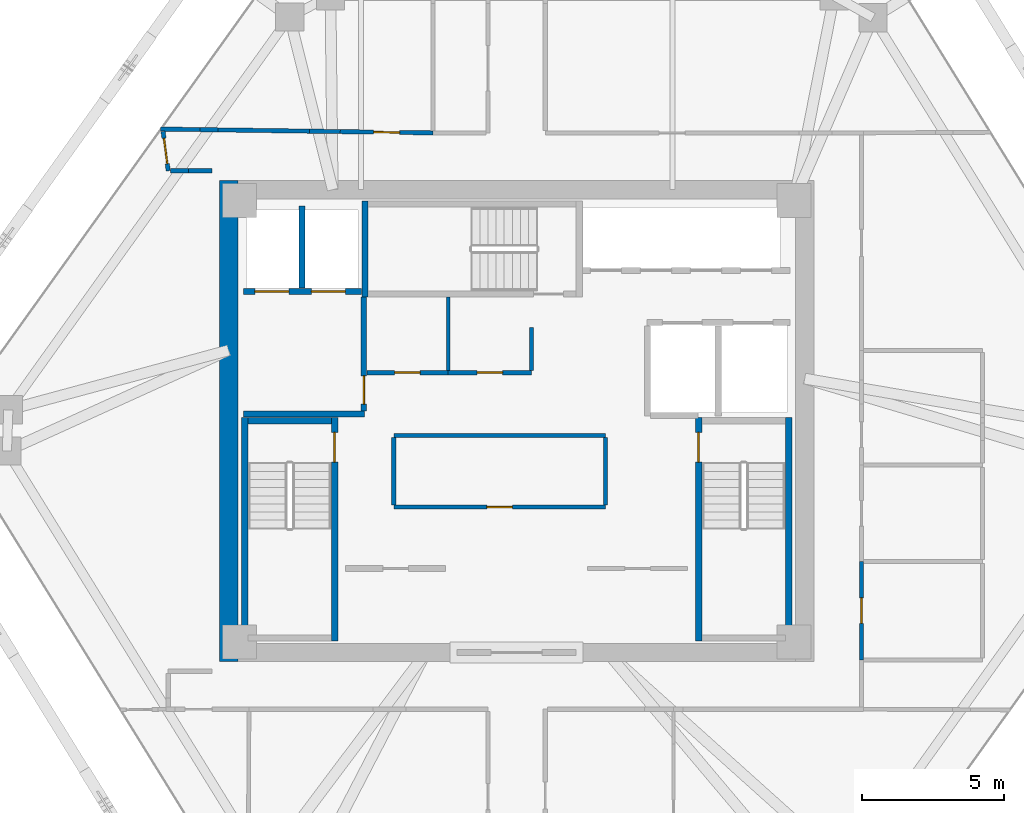
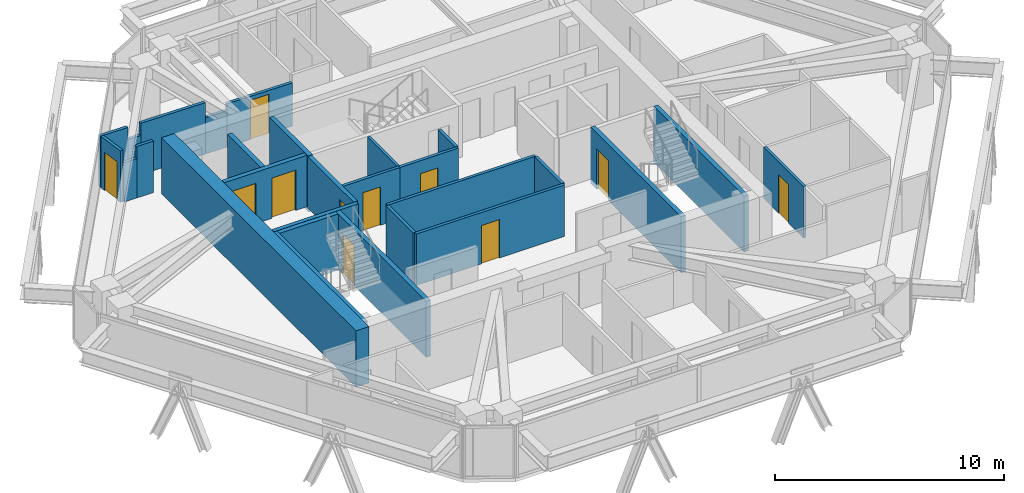
# One storey, part 11 of 14: 28 walls, 11 doors, 11 openings.
"""IFC4 building model written with IfcOpenShell, lengths in metres."""

import ifcopenshell
import ifcopenshell.guid

model = None  # the IFC model being written
_history = None  # IfcOwnerHistory: only IFC2X3 demands one
_inside = {}  # id of a spatial element -> (the spatial element, [elements in it])
_under = {}  # id of a project, library or spatial element -> (it, [spatial elements below it])
_declared = {}  # id of a project -> (the project, [libraries it declares])
_typed = {}  # id of a type object -> (the type object, [elements of that type])
_made_of = {}  # id of a material, layer set ... -> (it, [elements and type objects made of it])


def new_model(schema):
    """Start an empty IFC model of exactly this schema.

    Asked for "IFC4X3", IfcOpenShell would pick the latest addendum, in which some entities
    have other attributes; the version numbers below select the first issue.
    IFC2X3 requires an IfcOwnerHistory on every rooted entity: one is made here for all.
    """
    global model, _history
    if schema == "IFC4X3":
        model = ifcopenshell.file(schema_version=(4, 3, 0, 0))
    else:
        model = ifcopenshell.file(schema=schema)
    _inside.clear()
    _under.clear()
    _declared.clear()
    _typed.clear()
    _made_of.clear()
    _history = None
    if model.schema == "IFC2X3":
        org = make("IfcOrganization", Name="unknown")
        user = make(
            "IfcPersonAndOrganization",
            ThePerson=make("IfcPerson", FamilyName="unknown"),
            TheOrganization=org,
        )
        app = make(
            "IfcApplication",
            ApplicationDeveloper=org,
            Version="unknown",
            ApplicationFullName="unknown",
            ApplicationIdentifier="unknown",
        )
        _history = make(
            "IfcOwnerHistory",
            OwningUser=user,
            OwningApplication=app,
            ChangeAction="ADDED",
            CreationDate=0,
        )
    return model


def make(cls, **values):
    """One entity of the class cls with the attributes given. An attribute that is None is left unset."""
    return model.create_entity(
        cls, **{name: value for name, value in values.items() if value is not None}
    )


def rooted(cls, **values):
    """An entity with a GlobalId (a new one), such as an element, a storey or a relation."""
    return make(cls, GlobalId=ifcopenshell.guid.new(), OwnerHistory=_history, **values)


def si_unit(unit_type, name, prefix=None):
    """IfcSIUnit, for example si_unit("LENGTHUNIT", "METRE", prefix="MILLI")."""
    return make("IfcSIUnit", UnitType=unit_type, Prefix=prefix, Name=name)


def assignment(units):
    """IfcUnitAssignment: the units of a project."""
    return None if units is None else make("IfcUnitAssignment", Units=units)


def point(xyz):
    """IfcCartesianPoint."""
    return None if xyz is None else make("IfcCartesianPoint", Coordinates=xyz)


def direction(xyz):
    """IfcDirection."""
    return None if xyz is None else make("IfcDirection", DirectionRatios=xyz)


def frame(location, z_axis=None, x_axis=None):
    """IfcAxis2Placement3D, a coordinate frame: its origin and axes. An axis left out is left unset."""
    return make(
        "IfcAxis2Placement3D",
        Location=point(location),
        Axis=direction(z_axis),
        RefDirection=direction(x_axis),
    )


def frame_2d(location, x_axis=None):
    """IfcAxis2Placement2D, a coordinate frame in the plane: its origin and x axis."""
    return make(
        "IfcAxis2Placement2D", Location=point(location), RefDirection=direction(x_axis)
    )


def origin():
    """The frame at (0, 0, 0) with its axes left unset."""
    return frame((0.0, 0.0, 0.0))


def place(relative_to, where):
    """IfcLocalPlacement: puts the frame where relative to a parent placement (None: the world)."""
    return make(
        "IfcLocalPlacement", PlacementRelTo=relative_to, RelativePlacement=where
    )


def context(
    kind, dimensions, precision=None, world=None, true_north=None, identifier=None
):
    """IfcGeometricRepresentationContext, for example the 3D "Model" context."""
    return make(
        "IfcGeometricRepresentationContext",
        ContextIdentifier=identifier,
        ContextType=kind,
        CoordinateSpaceDimension=dimensions,
        Precision=precision,
        WorldCoordinateSystem=world,
        TrueNorth=true_north,
    )


def subcontext(parent, identifier, kind, view, scale=None):
    """IfcGeometricRepresentationSubContext, for example "Body" below "Model"."""
    return make(
        "IfcGeometricRepresentationSubContext",
        ContextIdentifier=identifier,
        ContextType=kind,
        ParentContext=parent,
        TargetScale=scale,
        TargetView=view,
    )


def project(units=None, contexts=None):
    """IfcProject with its units and contexts."""
    return rooted(
        "IfcProject",
        Name="project",
        RepresentationContexts=contexts,
        UnitsInContext=assignment(units),
    )


def spatial(cls, under=None, at=None, **own):
    """A site, building, storey or space (cls), placed at a placement, below another one or the project."""
    s = rooted(cls, ObjectPlacement=at, **own)
    if under is not None:
        _under.setdefault(under.id(), (under, []))[1].append(s)
    return s


def profile(cls, at=None, kind="AREA", **sizes):
    """A parametric profile (cls). Its sizes go by their IFC names, for example OverallWidth=200.0."""
    return make(cls, ProfileType=kind, Position=at, **sizes)


def rectangle(**sizes):
    """IfcRectangleProfileDef."""
    return profile("IfcRectangleProfileDef", **sizes)


def extrude(swept, where, along, depth):
    """IfcExtrudedAreaSolid: the profile swept, set in the frame where, extruded along a direction by depth."""
    return make(
        "IfcExtrudedAreaSolid",
        SweptArea=swept,
        Position=where,
        ExtrudedDirection=direction(along),
        Depth=depth,
    )


def shape(context_of_items, identifier, shape_type, items):
    """IfcShapeRepresentation: the items that make up one representation, for example the "Body"."""
    return make(
        "IfcShapeRepresentation",
        ContextOfItems=context_of_items,
        RepresentationIdentifier=identifier,
        RepresentationType=shape_type,
        Items=items,
    )


def source(mapping_origin, context_of_items, identifier, shape_type, items):
    """IfcRepresentationMap: a shape defined once, which mapped items show again and again."""
    return make(
        "IfcRepresentationMap",
        MappingOrigin=mapping_origin,
        MappedRepresentation=shape(context_of_items, identifier, shape_type, items),
    )


def transform(
    local_origin,
    x_axis=None,
    y_axis=None,
    z_axis=None,
    scale=None,
    scale2=None,
    scale3=None,
    uniform=True,
):
    """IfcCartesianTransformationOperator3D, or its non-uniform kind. x_axis, y_axis, z_axis: its Axis1, 2, 3."""
    if uniform:
        return make(
            "IfcCartesianTransformationOperator3D",
            Axis1=direction(x_axis),
            Axis2=direction(y_axis),
            LocalOrigin=point(local_origin),
            Scale=scale,
            Axis3=direction(z_axis),
        )
    return make(
        "IfcCartesianTransformationOperator3DnonUniform",
        Axis1=direction(x_axis),
        Axis2=direction(y_axis),
        LocalOrigin=point(local_origin),
        Scale=scale,
        Axis3=direction(z_axis),
        Scale2=scale2,
        Scale3=scale3,
    )


def mapped(mapping_source, mapping_target):
    """IfcMappedItem: shows the shape of a source again, moved by a transform."""
    return make(
        "IfcMappedItem", MappingSource=mapping_source, MappingTarget=mapping_target
    )


def material(Name=None, Category=None):
    """IfcMaterial."""
    return make("IfcMaterial", Name=Name, Category=Category)


def layer(
    of_material, thickness, ventilated=None, Name=None, Category=None, Priority=None
):
    """IfcMaterialLayer: one layer of a wall or slab, of a material (None: an air gap)."""
    return make(
        "IfcMaterialLayer",
        Material=of_material,
        LayerThickness=thickness,
        IsVentilated=ventilated,
        Name=Name,
        Category=Category,
        Priority=Priority,
    )


def layer_set(layers, Name=None):
    """IfcMaterialLayerSet."""
    return make("IfcMaterialLayerSet", MaterialLayers=layers, LayerSetName=Name)


def made_of(thing, what):
    """Note that an element or type object is made of a material, layer set ...; save() writes the relation."""
    if what is not None:
        _made_of.setdefault(what.id(), (what, []))[1].append(thing)
    return thing


def type_object(cls, material=None, **own):
    """A type object (cls), such as IfcWallType, which elements share."""
    return made_of(rooted(cls, **own), material)


def type_shapes(of_type, sources):
    """Give a type object the sources (RepresentationMaps) that its elements show as mapped items."""
    of_type.RepresentationMaps = sources


def element(
    cls,
    number,
    at=None,
    inside=None,
    cuts=None,
    type_object=None,
    material=None,
    context=None,
    identifier="Body",
    shape_type=None,
    held_by="IfcProductDefinitionShape",
    body=None,
    shapes=None,
    **own,
):
    """One element of the class cls, such as IfcWall. Its Tag is "e" and its number.

    at: its placement. inside: the storey or other place that contains it. cuts: it is an
    opening in that element (IfcRelVoidsElement). A single representation is given by context,
    identifier, shape_type and body (its items); several are given by shapes. held_by: the class
    of the entity that holds the representations. save() writes the other relations.
    """
    e = rooted(cls, Tag="e%d" % number, ObjectPlacement=at, **own)
    if body is not None:
        shapes = [shape(context, identifier, shape_type, body)]
    if shapes is not None:
        e.Representation = make(held_by, Representations=shapes)
    if inside is not None:
        _inside.setdefault(inside.id(), (inside, []))[1].append(e)
    if cuts is not None:
        rooted(
            "IfcRelVoidsElement", RelatingBuildingElement=cuts, RelatedOpeningElement=e
        )
    if type_object is not None:
        _typed.setdefault(type_object.id(), (type_object, []))[1].append(e)
    return made_of(e, material)


def fill(opening, filler):
    """IfcRelFillsElement: the door or window that sits in an opening."""
    return rooted(
        "IfcRelFillsElement",
        RelatingOpeningElement=opening,
        RelatedBuildingElement=filler,
    )


def aggregate(whole, parts):
    """IfcRelAggregates: a whole, such as a stair, and the parts it consists of."""
    return rooted("IfcRelAggregates", RelatingObject=whole, RelatedObjects=parts)


def save(model, path):
    """Write the relations noted so far, then the file.

    IfcRelAggregates (storeys below a building ...), IfcRelContainedInSpatialStructure (elements
    in a storey), IfcRelDefinesByType, IfcRelAssociatesMaterial and IfcRelDeclares: one each for
    every whole, place, type object, material and project.
    """
    for whole, parts in _under.values():
        aggregate(whole, parts)
    for where, things in _inside.values():
        rooted(
            "IfcRelContainedInSpatialStructure",
            RelatedElements=things,
            RelatingStructure=where,
        )
    for kind, things in _typed.values():
        rooted("IfcRelDefinesByType", RelatedObjects=things, RelatingType=kind)
    for what, things in _made_of.values():
        rooted("IfcRelAssociatesMaterial", RelatedObjects=things, RelatingMaterial=what)
    for by, libraries in _declared.values():
        rooted("IfcRelDeclares", RelatingContext=by, RelatedDefinitions=libraries)
    model.write(path)


model = new_model("IFC4")

# Units and contexts
model_context = context("Model", 3, precision=1e-05, world=origin(), true_north=direction((0.0, 1.0)))
body_context = subcontext(model_context, "Body", "Model", "MODEL_VIEW")
ifc_project = project(units=[si_unit("LENGTHUNIT", "METRE"), si_unit("AREAUNIT", "SQUARE_METRE"), si_unit("VOLUMEUNIT", "CUBIC_METRE"), si_unit("PLANEANGLEUNIT", "RADIAN"), si_unit("MASSUNIT", "GRAM", prefix="KILO")], contexts=[model_context])

# Site, building, storey
site_placement = place(None, origin())
site = spatial("IfcSite", under=ifc_project, at=site_placement, CompositionType="ELEMENT")
building_placement = place(site_placement, origin())
building = spatial("IfcBuilding", under=site, at=building_placement, Name="Durnholm Broadcast Tower", CompositionType="ELEMENT")
storey_placement = place(building_placement, frame((0.0, 0.0, 200.199951171875)))
storey = spatial("IfcBuildingStorey", under=building, at=storey_placement, Name="L55", CompositionType="ELEMENT", Elevation=200.199951171875)

# Walls
ifc_material_1 = material(Name="Concrete C70/85", Category="concrete")
ifc_layer_1 = layer(ifc_material_1, 0.64990234375)
ifc_layer_set_1 = layer_set([ifc_layer_1], Name="Concrete C70/85")
wall_type_1 = type_object("IfcWallType", Name="WALL-CW-650", PredefinedType="SHEAR", material=ifc_layer_set_1)
wall_1_placement = place(storey_placement, frame((-10.175048828125, -8.5, 0.0), z_axis=(0.0, 0.0, 1.0), x_axis=(0.0, 1.0, 0.0)))
element("IfcWall", 1, at=wall_1_placement, inside=storey, type_object=wall_type_1, Name="L55 central core shear wall CW-WEST", PredefinedType="SHEAR", context=body_context, shape_type="SweptSolid", body=[
    extrude(rectangle(XDim=17.0, YDim=0.64990234375, at=frame_2d((8.5, 0.0))), origin(), (0.0, 0.0, 1.0), 3.0),
])
ifc_material_2 = material(Name="Fire-Rated Gypsum Shaftwall", Category="concrete")
ifc_layer_2 = layer(ifc_material_2, 0.199951171875)
ifc_layer_set_2 = layer_set([ifc_layer_2], Name="Fire-Rated Gypsum Shaftwall")
wall_type_2 = type_object("IfcWallType", Name="WALL-LOB-200", PredefinedType="SOLIDWALL", material=ifc_layer_set_2)
wall_2_placement = place(storey_placement, frame((-9.64990234375, 0.25, 0.0), z_axis=(0.0, 0.0, 1.0), x_axis=(1.0, 0.0, 0.0)))
element("IfcWall", 2, at=wall_2_placement, inside=storey, type_object=wall_type_2, Name="L55 Fire Service Access Elevator lobby south wall", PredefinedType="SOLIDWALL", context=body_context, shape_type="SweptSolid", body=[
    extrude(rectangle(XDim=4.27001953125, YDim=0.199951171875, at=frame_2d((2.135009765625, 0.0))), origin(), (0.0, 0.0, 1.0), 2.7451171875),
])

# Wall, opening, door
wall_3_placement = place(storey_placement, frame((-5.39990234375, 0.35400390625, 0.0), z_axis=(0.0, 0.0, 1.0), x_axis=(0.0, 1.0, 0.0)))
wall_3 = element("IfcWall", 3, at=wall_3_placement, inside=storey, type_object=wall_type_2, Name="L55 Fire Service Access Elevator lobby east fire wall", PredefinedType="SOLIDWALL", context=body_context, shape_type="SweptSolid", body=[
    extrude(rectangle(XDim=4.02587890625, YDim=0.199951171875, at=frame_2d((2.012939453125, 0.0))), origin(), (0.0, 0.0, 1.0), 2.7451171875),
])
opening_1_placement = place(wall_3_placement, frame((0.24609375, 0.0, 0.0)))
opening_1 = element("IfcOpeningElement", 4, at=opening_1_placement, cuts=wall_3, Name="Opening DL-60R", PredefinedType="OPENING", context=body_context, shape_type="SweptSolid", body=[
    extrude(rectangle(XDim=1.0, YDim=2.14990234375, at=frame_2d((0.5, 1.074951171875))), frame((0.0, 0.10986328125, 0.0), z_axis=(0.0, -1.0, 0.0), x_axis=(1.0, 0.0, 0.0)), (0.0, 0.0, 1.0), 0.219970703125),
])
ifc_material_3 = material(Name="Fire-Rated Timber/Steel Door", Category="steel")
ifc_layer_3 = layer(ifc_material_3, 0.050048828125)
ifc_layer_set_3 = layer_set([ifc_layer_3], Name="Fire-Rated Timber/Steel Door")
door_type_1 = type_object("IfcDoorType", Name="DOOR-LOB-FD60-R", OperationType="NOTDEFINED", PredefinedType="DOOR", material=ifc_layer_set_3)
shared_shape_1 = source(origin(), body_context, "Body", "SweptSolid", [
    extrude(rectangle(XDim=1.0, YDim=2.14990234375, at=frame_2d((0.5, 1.074951171875))), frame((0.0, 0.02490234375, 0.0), z_axis=(0.0, -1.0, 0.0), x_axis=(1.0, 0.0, 0.0)), (0.0, 0.0, 1.0), 0.050048828125),
])
type_shapes(door_type_1, [shared_shape_1])
door_1_placement = place(opening_1_placement, origin())
door_1 = element("IfcDoor", 5, at=door_1_placement, inside=storey, type_object=door_type_1, Name="L55 Fire Service Access Elevator lobby smoke door", OperationType="SINGLE_SWING_RIGHT", OverallHeight=2.14990234375, OverallWidth=1.0, PredefinedType="DOOR", context=body_context, shape_type="MappedRepresentation", body=[
    mapped(shared_shape_1, transform((0.0, 0.0, 0.0), x_axis=(1.0, 0.0, 0.0), y_axis=(0.0, 1.0, 0.0), z_axis=(0.0, 0.0, 1.0), scale=1.0)),
])
fill(opening_1, door_1)

# Wall
ifc_material_4 = material(Name="Gypsum Metal Stud Partition", Category="concrete")
ifc_layer_4 = layer(ifc_material_4, 0.135009765625)
ifc_layer_set_4 = layer_set([ifc_layer_4], Name="Gypsum Metal Stud Partition")
wall_type_3 = type_object("IfcWallType", Name="WALL-PART-135", PredefinedType="PARTITIONING", material=ifc_layer_set_4)
wall_4_placement = place(storey_placement, frame((-2.419921875, 4.375, 0.0), z_axis=(0.0, 0.0, 1.0), x_axis=(0.0, -1.0, 0.0)))
element("IfcWall", 6, at=wall_4_placement, inside=storey, type_object=wall_type_3, Name="L55 room dividing partition 4.5", PredefinedType="PARTITIONING", context=body_context, shape_type="SweptSolid", body=[
    extrude(rectangle(XDim=2.5859375, YDim=0.135009765625, at=frame_2d((1.29296875, 0.0))), origin(), (0.0, 0.0, 1.0), 2.7451171875),
])

# Wall, opening, door
ifc_material_5 = material(Name="Acoustic Gypsum Stud Partition", Category="concrete")
ifc_layer_5 = layer(ifc_material_5, 0.14990234375)
ifc_layer_set_5 = layer_set([ifc_layer_5], Name="Acoustic Gypsum Stud Partition")
wall_type_4 = type_object("IfcWallType", Name="WALL-PART-150", PredefinedType="PARTITIONING", material=ifc_layer_set_5)
wall_5_placement = place(storey_placement, frame((3.139892578125, -3.0400390625, 0.0), z_axis=(0.0, 0.0, 1.0), x_axis=(-1.0, 0.0, 0.0)))
wall_5 = element("IfcWall", 7, at=wall_5_placement, inside=storey, type_object=wall_type_4, Name="L55 Broadcast Equipment Pantry corridor partition", PredefinedType="PARTITIONING", context=body_context, shape_type="SweptSolid", body=[
    extrude(rectangle(XDim=7.47998046875, YDim=0.14990234375, at=frame_2d((3.739990234375, 0.0))), origin(), (0.0, 0.0, 1.0), 2.7451171875),
])
opening_2_placement = place(wall_5_placement, frame((3.2900390625, 0.0, 0.0)))
opening_2 = element("IfcOpeningElement", 8, at=opening_2_placement, cuts=wall_5, Name="Opening DC-60L", PredefinedType="OPENING", context=body_context, shape_type="SweptSolid", body=[
    extrude(rectangle(XDim=0.89990234375, YDim=2.050048828125, at=frame_2d((0.449951171875, 1.02490234375))), frame((0.0, 0.0849609375, 0.0), z_axis=(0.0, -1.0, 0.0), x_axis=(1.0, 0.0, 0.0)), (0.0, 0.0, 1.0), 0.169921875),
])
ifc_material_6 = material(Name="Fire-Rated Core Service Door", Category="steel")
ifc_layer_6 = layer(ifc_material_6, 0.050048828125)
ifc_layer_set_6 = layer_set([ifc_layer_6], Name="Fire-Rated Core Service Door")
door_type_2 = type_object("IfcDoorType", Name="DOOR-CORE-FD60-L", OperationType="NOTDEFINED", PredefinedType="DOOR", material=ifc_layer_set_6)
shared_shape_2 = source(origin(), body_context, "Body", "SweptSolid", [
    extrude(rectangle(XDim=0.89990234375, YDim=2.050048828125, at=frame_2d((0.449951171875, 1.02490234375))), frame((0.0, 0.02490234375, 0.0), z_axis=(0.0, -1.0, 0.0), x_axis=(1.0, 0.0, 0.0)), (0.0, 0.0, 1.0), 0.050048828125),
])
type_shapes(door_type_2, [shared_shape_2])
door_2_placement = place(opening_2_placement, origin())
door_2 = element("IfcDoor", 9, at=door_2_placement, inside=storey, type_object=door_type_2, Name="L55 Broadcast Equipment Pantry entrance door", OperationType="SINGLE_SWING_LEFT", OverallHeight=2.050048828125, OverallWidth=0.89990234375, PredefinedType="DOOR", context=body_context, shape_type="MappedRepresentation", body=[
    mapped(shared_shape_2, transform((0.0, 0.0, 0.0), x_axis=(1.0, 0.0, 0.0), y_axis=(0.0, 1.0, 0.0), z_axis=(0.0, 0.0, 1.0), scale=1.0)),
])
fill(opening_2, door_2)

# Walls
wall_6_placement = place(storey_placement, frame((-4.340087890625, -0.510009765625, 0.0), z_axis=(0.0, 0.0, 1.0), x_axis=(1.0, 0.0, 0.0)))
element("IfcWall", 10, at=wall_6_placement, inside=storey, type_object=wall_type_4, Name="L55 Broadcast Equipment Pantry corridor partition", PredefinedType="PARTITIONING", context=body_context, shape_type="SweptSolid", body=[
    extrude(rectangle(XDim=7.47998046875, YDim=0.14990234375, at=frame_2d((3.739990234375, 0.0))), origin(), (0.0, 0.0, 1.0), 2.7451171875),
])
for number, where, z_axis, x_axis, name in (
    (11, (-4.340087890625, -2.9609375, 0.0), (0.0, 0.0, 1.0), (0.0, 1.0, 0.0), "L55 Broadcast Equipment Pantry corridor partition"),
    (12, (3.139892578125, -0.589111328125, 0.0), (0.0, 0.0, 1.0), (0.0, -1.0, 0.0), "L55 Broadcast Equipment Pantry corridor partition"),
):
    element("IfcWall", number, at=place(storey_placement, frame(where, z_axis=z_axis, x_axis=x_axis)), inside=storey, type_object=wall_type_4, Name=name, PredefinedType="PARTITIONING", context=body_context, shape_type="SweptSolid", body=[
        extrude(rectangle(XDim=2.371826171875, YDim=0.14990234375, at=frame_2d((1.18603515625, 0.0))), origin(), (0.0, 0.0, 1.0), 2.7451171875),
    ])

# Wall, opening, door
wall_7_placement = place(storey_placement, frame((-2.419921875, 1.7099609375, 0.0), z_axis=(0.0, 0.0, 1.0), x_axis=(-1.0, 0.0, 0.0)))
wall_7 = element("IfcWall", 13, at=wall_7_placement, inside=storey, type_object=wall_type_4, Name="L55 Core Equipment Store corridor partition", PredefinedType="PARTITIONING", context=body_context, shape_type="SweptSolid", body=[
    extrude(rectangle(XDim=2.8759765625, YDim=0.14990234375, at=frame_2d((1.43798828125, 0.0))), origin(), (0.0, 0.0, 1.0), 2.7451171875),
])
opening_3_placement = place(wall_7_placement, frame((0.988037109375, 0.0, 0.0)))
opening_3 = element("IfcOpeningElement", 14, at=opening_3_placement, cuts=wall_7, Name="Opening DC-60R", PredefinedType="OPENING", context=body_context, shape_type="SweptSolid", body=[
    extrude(rectangle(XDim=0.89990234375, YDim=2.050048828125, at=frame_2d((0.449951171875, 1.02490234375))), frame((0.0, 0.0849609375, 0.0), z_axis=(0.0, -1.0, 0.0), x_axis=(1.0, 0.0, 0.0)), (0.0, 0.0, 1.0), 0.169921875),
])
ifc_layer_7 = layer(ifc_material_6, 0.050048828125)
ifc_layer_set_7 = layer_set([ifc_layer_7], Name="Fire-Rated Core Service Door")
door_type_3 = type_object("IfcDoorType", Name="DOOR-CORE-FD60-R", OperationType="NOTDEFINED", PredefinedType="DOOR", material=ifc_layer_set_7)
shared_shape_3 = source(origin(), body_context, "Body", "SweptSolid", [
    extrude(rectangle(XDim=0.89990234375, YDim=2.050048828125, at=frame_2d((0.449951171875, 1.02490234375))), frame((0.0, 0.02490234375, 0.0), z_axis=(0.0, -1.0, 0.0), x_axis=(1.0, 0.0, 0.0)), (0.0, 0.0, 1.0), 0.050048828125),
])
type_shapes(door_type_3, [shared_shape_3])
door_3_placement = place(opening_3_placement, origin())
door_3 = element("IfcDoor", 15, at=door_3_placement, inside=storey, type_object=door_type_3, Name="L55 Core Equipment Store entrance door", OperationType="SINGLE_SWING_RIGHT", OverallHeight=2.050048828125, OverallWidth=0.89990234375, PredefinedType="DOOR", context=body_context, shape_type="MappedRepresentation", body=[
    mapped(shared_shape_3, transform((0.0, 0.0, 0.0), x_axis=(1.0, 0.0, 0.0), y_axis=(0.0, 1.0, 0.0), z_axis=(0.0, 0.0, 1.0), scale=1.0)),
])
fill(opening_3, door_3)

wall_8_placement = place(storey_placement, frame((0.52001953125, 1.7099609375, 0.0), z_axis=(0.0, 0.0, 1.0), x_axis=(-1.0, 0.0, 0.0)))
wall_8 = element("IfcWall", 16, at=wall_8_placement, inside=storey, type_object=wall_type_4, Name="L55 Core Mail and Supply Room corridor partition", PredefinedType="PARTITIONING", context=body_context, shape_type="SweptSolid", body=[
    extrude(rectangle(XDim=2.93994140625, YDim=0.14990234375, at=frame_2d((1.469970703125, 0.0))), origin(), (0.0, 0.0, 1.0), 2.7451171875),
])
opening_4_placement = place(wall_8_placement, frame((1.02001953125, 0.0, 0.0)))
opening_4 = element("IfcOpeningElement", 17, at=opening_4_placement, cuts=wall_8, Name="Opening DC-60L", PredefinedType="OPENING", context=body_context, shape_type="SweptSolid", body=[
    extrude(rectangle(XDim=0.89990234375, YDim=2.050048828125, at=frame_2d((0.449951171875, 1.02490234375))), frame((0.0, 0.0849609375, 0.0), z_axis=(0.0, -1.0, 0.0), x_axis=(1.0, 0.0, 0.0)), (0.0, 0.0, 1.0), 0.169921875),
])
door_4_placement = place(opening_4_placement, origin())
door_4 = element("IfcDoor", 18, at=door_4_placement, inside=storey, type_object=door_type_2, Name="L55 Core Mail and Supply Room entrance door", OperationType="SINGLE_SWING_LEFT", OverallHeight=2.050048828125, OverallWidth=0.89990234375, PredefinedType="DOOR", context=body_context, shape_type="MappedRepresentation", body=[
    mapped(shared_shape_2, transform((0.0, 0.0, 0.0), x_axis=(1.0, 0.0, 0.0), y_axis=(0.0, 1.0, 0.0), z_axis=(0.0, 0.0, 1.0), scale=1.0)),
])
fill(opening_4, door_4)

# Wall
wall_9_placement = place(storey_placement, frame((0.52001953125, 3.300048828125, 0.0), z_axis=(0.0, 0.0, 1.0), x_axis=(0.0, -1.0, 0.0)))
element("IfcWall", 19, at=wall_9_placement, inside=storey, type_object=wall_type_4, Name="L55 Core Mail and Supply Room corridor partition", PredefinedType="PARTITIONING", context=body_context, shape_type="SweptSolid", body=[
    extrude(rectangle(XDim=1.510986328125, YDim=0.14990234375, at=frame_2d((0.75537109375, 0.0))), origin(), (0.0, 0.0, 1.0), 2.7451171875),
])

# Wall, opening, door
wall_10_placement = place(storey_placement, frame((-2.9599609375, 10.179931640625, 0.0), z_axis=(0.0, 0.0, 1.0), x_axis=(-0.999900650504, 0.014095712907, 0.0)))
wall_10 = element("IfcWall", 20, at=wall_10_placement, inside=storey, type_object=wall_type_4, Name="L55 Open Plan Broadcast Workspace 2 corridor partition", PredefinedType="PARTITIONING", context=body_context, shape_type="SweptSolid", body=[
    extrude(rectangle(XDim=3.2734375, YDim=0.14990234375, at=frame_2d((1.63671875, 0.0))), origin(), (0.0, 0.0, 1.0), 2.308349609375),
])
opening_5_placement = place(wall_10_placement, frame((1.1767578125, 0.0, 0.0)))
opening_5 = element("IfcOpeningElement", 21, at=opening_5_placement, cuts=wall_10, Name="Opening DR-92L", PredefinedType="OPENING", context=body_context, shape_type="SweptSolid", body=[
    extrude(rectangle(XDim=0.919921875, YDim=2.10009765625, at=frame_2d((0.4599609375, 1.050048828125))), frame((0.0, 0.0849609375, 0.0), z_axis=(0.0, -1.0, 0.0), x_axis=(1.0, 0.0, 0.0)), (0.0, 0.0, 1.0), 0.169921875),
])
ifc_material_7 = material(Name="Oak Veneer Office Door", Category="wood")
ifc_layer_8 = layer(ifc_material_7, 0.050048828125)
ifc_layer_set_8 = layer_set([ifc_layer_8], Name="Oak Veneer Office Door")
door_type_4 = type_object("IfcDoorType", Name="DOOR-RM-920L", OperationType="NOTDEFINED", PredefinedType="DOOR", material=ifc_layer_set_8)
shared_shape_4 = source(origin(), body_context, "Body", "SweptSolid", [
    extrude(rectangle(XDim=0.919921875, YDim=2.10009765625, at=frame_2d((0.4599609375, 1.050048828125))), frame((0.0, 0.02490234375, 0.0), z_axis=(0.0, -1.0, 0.0), x_axis=(1.0, 0.0, 0.0)), (0.0, 0.0, 1.0), 0.050048828125),
])
type_shapes(door_type_4, [shared_shape_4])
door_5_placement = place(opening_5_placement, origin())
door_5 = element("IfcDoor", 22, at=door_5_placement, inside=storey, type_object=door_type_4, Name="L55 Open Plan Broadcast Workspace 2 entrance door", OperationType="SINGLE_SWING_LEFT", OverallHeight=2.10009765625, OverallWidth=0.919921875, PredefinedType="DOOR", context=body_context, shape_type="MappedRepresentation", body=[
    mapped(shared_shape_4, transform((0.0, 0.0, 0.0), x_axis=(1.0, 0.0, 0.0), y_axis=(0.0, 1.0, 0.0), z_axis=(0.0, 0.0, 1.0), scale=1.0)),
])
fill(opening_5, door_5)

# Walls
wall_11_placement = place(storey_placement, frame((-7.314697265625, 10.241455078125, 0.0), z_axis=(0.0, 0.0, 1.0), x_axis=(-0.99990075336, 0.014088414774, 0.0)))
element("IfcWall", 23, at=wall_11_placement, inside=storey, type_object=wall_type_4, Name="L55 Open Plan Broadcast Workspace 2 corridor partition", PredefinedType="PARTITIONING", context=body_context, shape_type="SweptSolid", body=[
    extrude(rectangle(XDim=3.240478515625, YDim=0.14990234375, at=frame_2d((1.6201171875, 0.0))), origin(), (0.0, 0.0, 1.0), 2.7451171875),
])
wall_12_placement = place(storey_placement, frame((-11.1943359375, 10.296142578125, 0.0), z_axis=(0.0, 0.0, 1.0), x_axis=(-0.999900583231, 0.014100484163, 0.0)))
element("IfcWall", 24, at=wall_12_placement, inside=storey, type_object=wall_type_4, Name="L55 Open Plan Broadcast Workspace 2 corridor partition", PredefinedType="PARTITIONING", context=body_context, shape_type="SweptSolid", body=[
    extrude(rectangle(XDim=1.38525390625, YDim=0.14990234375, at=frame_2d((0.692626953125, 0.0))), origin(), (0.0, 0.0, 1.0), 2.7451171875),
])
wall_13_placement = place(storey_placement, frame((-6.233154296875, 10.22607421875, 0.0), z_axis=(0.0, 0.0, 1.0), x_axis=(-0.999898893801, 0.014219781108, 0.0)))
element("IfcWall", 25, at=wall_13_placement, inside=storey, type_object=wall_type_4, Name="L55 Open Plan Broadcast Workspace 2 corridor partition", PredefinedType="PARTITIONING", context=body_context, shape_type="SweptSolid", body=[
    extrude(rectangle(XDim=1.08154296875, YDim=0.14990234375, at=frame_2d((0.540771484375, 0.0))), origin(), (0.0, 0.0, 1.0), 1.94189453125),
])
wall_14_placement = place(storey_placement, frame((-10.554931640625, 10.287109375, 0.0), z_axis=(0.0, 0.0, 1.0), x_axis=(-0.999900221389, 0.014126119966, 0.0)))
element("IfcWall", 26, at=wall_14_placement, inside=storey, type_object=wall_type_4, Name="L55 Open Plan Broadcast Workspace 2 corridor partition", PredefinedType="PARTITIONING", context=body_context, shape_type="SweptSolid", body=[
    extrude(rectangle(XDim=0.639404296875, YDim=0.14990234375, at=frame_2d((0.31982421875, 0.0))), origin(), (0.0, 0.0, 1.0), 2.098876953125),
])
wall_15_placement = place(storey_placement, frame((-11.591064453125, 8.840087890625, 0.0), z_axis=(0.0, 0.0, 1.0), x_axis=(1.0, 0.0, 0.0)))
element("IfcWall", 27, at=wall_15_placement, inside=storey, type_object=wall_type_4, Name="L55 Treasury Dining Room corridor partition", PredefinedType="PARTITIONING", context=body_context, shape_type="SweptSolid", body=[
    extrude(rectangle(XDim=0.8310546875, YDim=0.14990234375, at=frame_2d((0.41552734375, 0.0))), origin(), (0.0, 0.0, 1.0), 2.7451171875),
])
wall_16_placement = place(storey_placement, frame((-12.23681640625, 8.840087890625, 0.0), z_axis=(0.0, 0.0, 1.0), x_axis=(1.0, 0.0, 0.0)))
element("IfcWall", 28, at=wall_16_placement, inside=storey, type_object=wall_type_4, Name="L55 Treasury Dining Room corridor partition", PredefinedType="PARTITIONING", context=body_context, shape_type="SweptSolid", body=[
    extrude(rectangle(XDim=0.645751953125, YDim=0.14990234375, at=frame_2d((0.32275390625, 0.0))), origin(), (0.0, 0.0, 1.0), 2.098876953125),
])

# Wall, opening, door
wall_17_placement = place(storey_placement, frame((-12.4921875, 10.2353515625, 0.0), z_axis=(0.0, 0.0, 1.0), x_axis=(0.129435611613, -0.991587828912, 0.0)))
wall_17 = element("IfcWall", 29, at=wall_17_placement, inside=storey, type_object=wall_type_4, Name="L55 Treasury Dining Room corridor partition", PredefinedType="PARTITIONING", context=body_context, shape_type="SweptSolid", body=[
    extrude(rectangle(XDim=1.406982421875, YDim=0.14990234375, at=frame_2d((0.70361328125, 0.0))), origin(), (0.0, 0.0, 1.0), 2.7451171875),
])
opening_6_placement = place(wall_17_placement, frame((0.253662109375, 0.0, 0.0)))
opening_6 = element("IfcOpeningElement", 30, at=opening_6_placement, cuts=wall_17, Name="Opening DW-90R", PredefinedType="OPENING", context=body_context, shape_type="SweptSolid", body=[
    extrude(rectangle(XDim=0.89990234375, YDim=2.050048828125, at=frame_2d((0.449951171875, 1.02490234375))), frame((0.0, 0.0849609375, 0.0), z_axis=(0.0, -1.0, 0.0), x_axis=(1.0, 0.0, 0.0)), (0.0, 0.0, 1.0), 0.169921875),
])
ifc_material_8 = material(Name="Laminate Restroom Door", Category="steel")
ifc_layer_9 = layer(ifc_material_8, 0.050048828125)
ifc_layer_set_9 = layer_set([ifc_layer_9], Name="Laminate Restroom Door")
door_type_5 = type_object("IfcDoorType", Name="DOOR-WC-900R", OperationType="NOTDEFINED", PredefinedType="DOOR", material=ifc_layer_set_9)
shared_shape_5 = source(origin(), body_context, "Body", "SweptSolid", [
    extrude(rectangle(XDim=0.89990234375, YDim=2.050048828125, at=frame_2d((0.449951171875, 1.02490234375))), frame((0.0, 0.02490234375, 0.0), z_axis=(0.0, -1.0, 0.0), x_axis=(1.0, 0.0, 0.0)), (0.0, 0.0, 1.0), 0.050048828125),
])
type_shapes(door_type_5, [shared_shape_5])
door_6_placement = place(opening_6_placement, origin())
door_6 = element("IfcDoor", 31, at=door_6_placement, inside=storey, type_object=door_type_5, Name="L55 Treasury Dining Room entrance door", OperationType="SINGLE_SWING_RIGHT", OverallHeight=2.050048828125, OverallWidth=0.89990234375, PredefinedType="DOOR", context=body_context, shape_type="MappedRepresentation", body=[
    mapped(shared_shape_5, transform((0.0, 0.0, 0.0), x_axis=(1.0, 0.0, 0.0), y_axis=(0.0, 1.0, 0.0), z_axis=(0.0, 0.0, 1.0), scale=1.0)),
])
fill(opening_6, door_6)

# Wall, openings, doors
ifc_material_9 = material(Name="Concrete Blockwork C30/37", Category="masonry")
ifc_layer_10 = layer(ifc_material_9, 0.219970703125)
ifc_layer_set_10 = layer_set([ifc_layer_10], Name="Concrete Blockwork C30/37")
wall_type_5 = type_object("IfcWallType", Name="WALL-SHAFT-220", PredefinedType="SOLIDWALL", material=ifc_layer_set_10)
wall_18_placement = place(storey_placement, frame((-9.64990234375, 4.580078125, 0.0), z_axis=(0.0, 0.0, 1.0), x_axis=(1.0, 0.0, 0.0)))
wall_18 = element("IfcWall", 32, at=wall_18_placement, inside=storey, type_object=wall_type_5, Name="L55 FSAE hoistway front fire wall", PredefinedType="SOLIDWALL", context=body_context, shape_type="SweptSolid", body=[
    extrude(rectangle(XDim=4.1748046875, YDim=0.219970703125, at=frame_2d((2.08740234375, 0.0))), origin(), (0.0, 0.0, 1.0), 2.7451171875),
])
opening_7_placement = place(wall_18_placement, frame((0.39990234375, 0.0, 0.0)))
opening_7 = element("IfcOpeningElement", 33, at=opening_7_placement, cuts=wall_18, Name="Opening LD-FSAE-2", PredefinedType="OPENING", context=body_context, shape_type="SweptSolid", body=[
    extrude(rectangle(XDim=1.199951171875, YDim=2.14990234375, at=frame_2d((0.60009765625, 1.074951171875))), frame((0.0, 0.1201171875, 0.0), z_axis=(0.0, -1.0, 0.0), x_axis=(1.0, 0.0, 0.0)), (0.0, 0.0, 1.0), 0.239990234375),
])
opening_8_placement = place(wall_18_placement, frame((2.39990234375, 0.0, 0.0)))
opening_8 = element("IfcOpeningElement", 34, at=opening_8_placement, cuts=wall_18, Name="Opening LD-FSAE-1", PredefinedType="OPENING", context=body_context, shape_type="SweptSolid", body=[
    extrude(rectangle(XDim=1.199951171875, YDim=2.14990234375, at=frame_2d((0.60009765625, 1.074951171875))), frame((0.0, 0.1201171875, 0.0), z_axis=(0.0, -1.0, 0.0), x_axis=(1.0, 0.0, 0.0)), (0.0, 0.0, 1.0), 0.239990234375),
])
ifc_material_10 = material(Name="Fire Service Access Sliding Landing Door", Category="steel")
ifc_layer_11 = layer(ifc_material_10, 0.050048828125)
ifc_layer_set_11 = layer_set([ifc_layer_11], Name="Fire Service Access Sliding Landing Door")
door_type_6 = type_object("IfcDoorType", Name="DOOR-LIFT-FSAE", OperationType="DOUBLE_DOOR_SLIDING", PredefinedType="DOOR", material=ifc_layer_set_11)
shared_shape_6 = source(origin(), body_context, "Body", "SweptSolid", [
    extrude(rectangle(XDim=1.199951171875, YDim=2.14990234375, at=frame_2d((0.60009765625, 1.074951171875))), frame((0.0, 0.02490234375, 0.0), z_axis=(0.0, -1.0, 0.0), x_axis=(1.0, 0.0, 0.0)), (0.0, 0.0, 1.0), 0.050048828125),
])
type_shapes(door_type_6, [shared_shape_6])
door_7_placement = place(opening_7_placement, origin())
door_7 = element("IfcDoor", 35, at=door_7_placement, inside=storey, type_object=door_type_6, Name="L55 Fire Service Access Elevator FSAE-2 sliding landing door", OperationType="DOUBLE_DOOR_SLIDING", OverallHeight=2.14990234375, OverallWidth=1.199951171875, PredefinedType="DOOR", context=body_context, shape_type="MappedRepresentation", body=[
    mapped(shared_shape_6, transform((0.0, 0.0, 0.0), x_axis=(1.0, 0.0, 0.0), y_axis=(0.0, 1.0, 0.0), z_axis=(0.0, 0.0, 1.0), scale=1.0)),
])
fill(opening_7, door_7)
door_8_placement = place(opening_8_placement, origin())
door_8 = element("IfcDoor", 36, at=door_8_placement, inside=storey, type_object=door_type_6, Name="L55 Fire Service Access Elevator FSAE-1 sliding landing door", OperationType="DOUBLE_DOOR_SLIDING", OverallHeight=2.14990234375, OverallWidth=1.199951171875, PredefinedType="DOOR", context=body_context, shape_type="MappedRepresentation", body=[
    mapped(shared_shape_6, transform((0.0, 0.0, 0.0), x_axis=(1.0, 0.0, 0.0), y_axis=(0.0, 1.0, 0.0), z_axis=(0.0, 0.0, 1.0), scale=1.0)),
])
fill(opening_8, door_8)

# Wall
wall_19_placement = place(storey_placement, frame((-7.580078125, 4.694091796875, 0.0), z_axis=(0.0, 0.0, 1.0), x_axis=(0.0, 1.0, 0.0)))
element("IfcWall", 37, at=wall_19_placement, inside=storey, type_object=wall_type_5, Name="L55 FSAE shaft divider wall", PredefinedType="SOLIDWALL", context=body_context, shape_type="SweptSolid", body=[
    extrude(rectangle(XDim=2.906005859375, YDim=0.219970703125, at=frame_2d((1.453125, 0.0))), origin(), (0.0, 0.0, 1.0), 2.7451171875),
])

# Wall, opening, door
ifc_material_11 = material(Name="Concrete C50/60", Category="concrete")
ifc_layer_12 = layer(ifc_material_11, 0.219970703125)
ifc_layer_set_12 = layer_set([ifc_layer_12], Name="Concrete C50/60")
wall_type_6 = type_object("IfcWallType", Name="WALL-SW-220", PredefinedType="SHEAR", material=ifc_layer_set_12)
wall_20_placement = place(storey_placement, frame((-6.429931640625, -7.77001953125, -0.239990234375), z_axis=(0.0, 0.0, 1.0), x_axis=(0.0, 1.0, 0.0)))
wall_20 = element("IfcWall", 38, at=wall_20_placement, inside=storey, type_object=wall_type_6, Name="L55 stair ST-1 structural shaft wall E", PredefinedType="SHEAR", context=body_context, shape_type="SweptSolid", body=[
    extrude(rectangle(XDim=7.89013671875, YDim=0.219970703125, at=frame_2d((3.945068359375, 0.0))), origin(), (0.0, 0.0, 1.0), 3.0),
])
opening_9_placement = place(wall_20_placement, frame((6.320068359375, 0.0, 0.0)))
opening_9 = element("IfcOpeningElement", 39, at=opening_9_placement, cuts=wall_20, Name="Opening DS-90L", PredefinedType="OPENING", context=body_context, shape_type="SweptSolid", body=[
    extrude(rectangle(XDim=1.050048828125, YDim=2.14990234375, at=frame_2d((0.52490234375, 1.074951171875))), frame((0.0, 0.1201171875, 0.0), z_axis=(0.0, -1.0, 0.0), x_axis=(1.0, 0.0, 0.0)), (0.0, 0.0, 1.0), 0.239990234375),
])
ifc_material_12 = material(Name="Fire-Rated Steel Door", Category="steel")
ifc_layer_13 = layer(ifc_material_12, 0.050048828125)
ifc_layer_set_13 = layer_set([ifc_layer_13], Name="Fire-Rated Steel Door")
door_type_7 = type_object("IfcDoorType", Name="DOOR-ST-FD90-L", OperationType="NOTDEFINED", PredefinedType="DOOR", material=ifc_layer_set_13)
shared_shape_7 = source(origin(), body_context, "Body", "SweptSolid", [
    extrude(rectangle(XDim=1.050048828125, YDim=2.14990234375, at=frame_2d((0.52490234375, 1.074951171875))), frame((0.0, 0.02490234375, 0.0), z_axis=(0.0, -1.0, 0.0), x_axis=(1.0, 0.0, 0.0)), (0.0, 0.0, 1.0), 0.050048828125),
])
type_shapes(door_type_7, [shared_shape_7])
door_9_placement = place(opening_9_placement, origin())
door_9 = element("IfcDoor", 40, at=door_9_placement, inside=storey, type_object=door_type_7, Name="L55 exit stair ST-1 fire door", OperationType="SINGLE_SWING_LEFT", OverallHeight=2.14990234375, OverallWidth=1.050048828125, PredefinedType="DOOR", context=body_context, shape_type="MappedRepresentation", body=[
    mapped(shared_shape_7, transform((0.0, 0.0, 0.0), x_axis=(1.0, 0.0, 0.0), y_axis=(0.0, 1.0, 0.0), z_axis=(0.0, 0.0, 1.0), scale=1.0)),
])
fill(opening_9, door_9)

# Walls
wall_21_placement = place(storey_placement, frame((-9.610107421875, 0.1201171875, -0.239990234375), z_axis=(0.0, 0.0, 1.0), x_axis=(0.0, -1.0, 0.0)))
element("IfcWall", 41, at=wall_21_placement, inside=storey, type_object=wall_type_6, Name="L55 stair ST-1 structural shaft wall W", PredefinedType="SHEAR", context=body_context, shape_type="SweptSolid", body=[
    extrude(rectangle(XDim=7.89013671875, YDim=0.219970703125, at=frame_2d((3.945068359375, 0.0))), origin(), (0.0, 0.0, 1.0), 3.0),
])
wall_22_placement = place(storey_placement, frame((-6.5400390625, 0.010009765625, -0.239990234375), z_axis=(0.0, 0.0, 1.0), x_axis=(-1.0, 0.0, 0.0)))
element("IfcWall", 42, at=wall_22_placement, inside=storey, type_object=wall_type_6, Name="L55 stair ST-1 structural shaft wall N", PredefinedType="SHEAR", context=body_context, shape_type="SweptSolid", body=[
    extrude(rectangle(XDim=2.9599609375, YDim=0.219970703125, at=frame_2d((1.47998046875, 0.0))), origin(), (0.0, 0.0, 1.0), 3.0),
])
wall_23_placement = place(storey_placement, frame((9.610107421875, -7.77001953125, -0.239990234375), z_axis=(0.0, 0.0, 1.0), x_axis=(0.0, 1.0, 0.0)))
element("IfcWall", 43, at=wall_23_placement, inside=storey, type_object=wall_type_6, Name="L55 stair ST-2 structural shaft wall E", PredefinedType="SHEAR", context=body_context, shape_type="SweptSolid", body=[
    extrude(rectangle(XDim=7.89013671875, YDim=0.219970703125, at=frame_2d((3.945068359375, 0.0))), origin(), (0.0, 0.0, 1.0), 3.0),
])

# Wall, opening, door
wall_24_placement = place(storey_placement, frame((6.429931640625, 0.1201171875, -0.239990234375), z_axis=(0.0, 0.0, 1.0), x_axis=(0.0, -1.0, 0.0)))
wall_24 = element("IfcWall", 44, at=wall_24_placement, inside=storey, type_object=wall_type_6, Name="L55 stair ST-2 structural shaft wall W", PredefinedType="SHEAR", context=body_context, shape_type="SweptSolid", body=[
    extrude(rectangle(XDim=7.89013671875, YDim=0.219970703125, at=frame_2d((3.945068359375, 0.0))), origin(), (0.0, 0.0, 1.0), 3.0),
])
opening_10_placement = place(wall_24_placement, frame((0.52001953125, 0.0, 0.0)))
opening_10 = element("IfcOpeningElement", 45, at=opening_10_placement, cuts=wall_24, Name="Opening DS-90R", PredefinedType="OPENING", context=body_context, shape_type="SweptSolid", body=[
    extrude(rectangle(XDim=1.050048828125, YDim=2.14990234375, at=frame_2d((0.52490234375, 1.074951171875))), frame((0.0, 0.1201171875, 0.0), z_axis=(0.0, -1.0, 0.0), x_axis=(1.0, 0.0, 0.0)), (0.0, 0.0, 1.0), 0.239990234375),
])
ifc_layer_14 = layer(ifc_material_12, 0.050048828125)
ifc_layer_set_14 = layer_set([ifc_layer_14], Name="Fire-Rated Steel Door")
door_type_8 = type_object("IfcDoorType", Name="DOOR-ST-FD90-R", OperationType="NOTDEFINED", PredefinedType="DOOR", material=ifc_layer_set_14)
shared_shape_8 = source(origin(), body_context, "Body", "SweptSolid", [
    extrude(rectangle(XDim=1.050048828125, YDim=2.14990234375, at=frame_2d((0.52490234375, 1.074951171875))), frame((0.0, 0.02490234375, 0.0), z_axis=(0.0, -1.0, 0.0), x_axis=(1.0, 0.0, 0.0)), (0.0, 0.0, 1.0), 0.050048828125),
])
type_shapes(door_type_8, [shared_shape_8])
door_10_placement = place(opening_10_placement, origin())
door_10 = element("IfcDoor", 46, at=door_10_placement, inside=storey, type_object=door_type_8, Name="L55 exit stair ST-2 fire door", OperationType="SINGLE_SWING_RIGHT", OverallHeight=2.14990234375, OverallWidth=1.050048828125, PredefinedType="DOOR", context=body_context, shape_type="MappedRepresentation", body=[
    mapped(shared_shape_8, transform((0.0, 0.0, 0.0), x_axis=(1.0, 0.0, 0.0), y_axis=(0.0, 1.0, 0.0), z_axis=(0.0, 0.0, 1.0), scale=1.0)),
])
fill(opening_10, door_10)

# Wall
wall_25_placement = place(storey_placement, frame((-5.360107421875, 7.780029296875, -0.239990234375), z_axis=(0.0, 0.0, 1.0), x_axis=(0.0, -1.0, 0.0)))
element("IfcWall", 47, at=wall_25_placement, inside=storey, type_object=wall_type_6, Name="L55 stair ST-3 structural shaft wall W", PredefinedType="SHEAR", context=body_context, shape_type="SweptSolid", body=[
    extrude(rectangle(XDim=3.400146484375, YDim=0.219970703125, at=frame_2d((1.7001953125, 0.0))), origin(), (0.0, 0.0, 1.0), 3.0),
])

# Wall, opening, door
ifc_material_13 = material(Name="Moisture-Resistant Tile Partition", Category="concrete")
ifc_layer_15 = layer(ifc_material_13, 0.139892578125)
ifc_layer_set_15 = layer_set([ifc_layer_15], Name="Moisture-Resistant Tile Partition")
wall_type_7 = type_object("IfcWallType", Name="WALL-WC-140", PredefinedType="PARTITIONING", material=ifc_layer_set_15)
wall_26_placement = place(storey_placement, frame((12.179931640625, -8.43994140625, 0.0), z_axis=(0.0, 0.0, 1.0), x_axis=(0.0, 1.0, 0.0)))
wall_26 = element("IfcWall", 48, at=wall_26_placement, inside=storey, type_object=wall_type_7, Name="L55 Men's Restroom corridor partition", PredefinedType="PARTITIONING", context=body_context, shape_type="SweptSolid", body=[
    extrude(rectangle(XDim=3.47998046875, YDim=0.139892578125, at=frame_2d((1.739990234375, 0.0))), origin(), (0.0, 0.0, 1.0), 2.7451171875),
])
opening_11_placement = place(wall_26_placement, frame((1.2900390625, 0.0, 0.0)))
opening_11 = element("IfcOpeningElement", 49, at=opening_11_placement, cuts=wall_26, Name="Opening DW-90R", PredefinedType="OPENING", context=body_context, shape_type="SweptSolid", body=[
    extrude(rectangle(XDim=0.89990234375, YDim=2.050048828125, at=frame_2d((0.449951171875, 1.02490234375))), frame((0.0, 0.080078125, 0.0), z_axis=(0.0, -1.0, 0.0), x_axis=(1.0, 0.0, 0.0)), (0.0, 0.0, 1.0), 0.159912109375),
])
door_11_placement = place(opening_11_placement, origin())
door_11 = element("IfcDoor", 50, at=door_11_placement, inside=storey, type_object=door_type_5, Name="L55 Men's Restroom entrance door", OperationType="SINGLE_SWING_RIGHT", OverallHeight=2.050048828125, OverallWidth=0.89990234375, PredefinedType="DOOR", context=body_context, shape_type="MappedRepresentation", body=[
    mapped(shared_shape_5, transform((0.0, 0.0, 0.0), x_axis=(1.0, 0.0, 0.0), y_axis=(0.0, 1.0, 0.0), z_axis=(0.0, 0.0, 1.0), scale=1.0)),
])
fill(opening_11, door_11)

save(model, "model.ifc")
